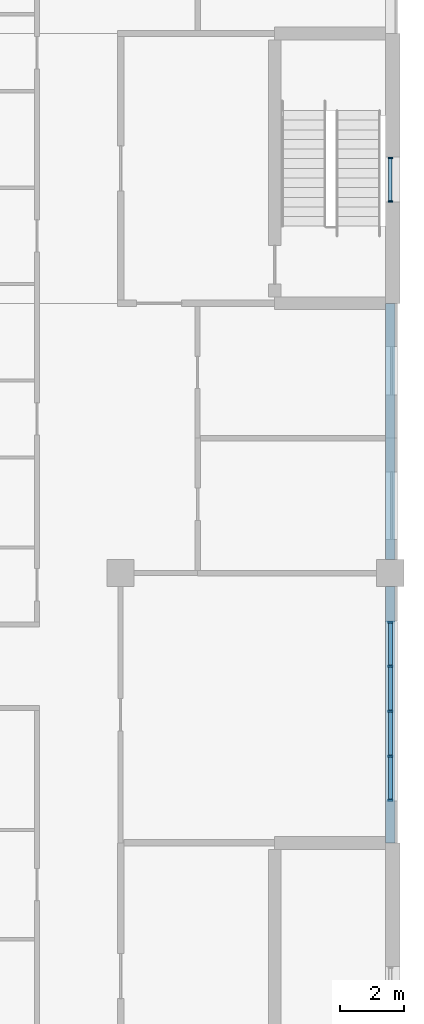
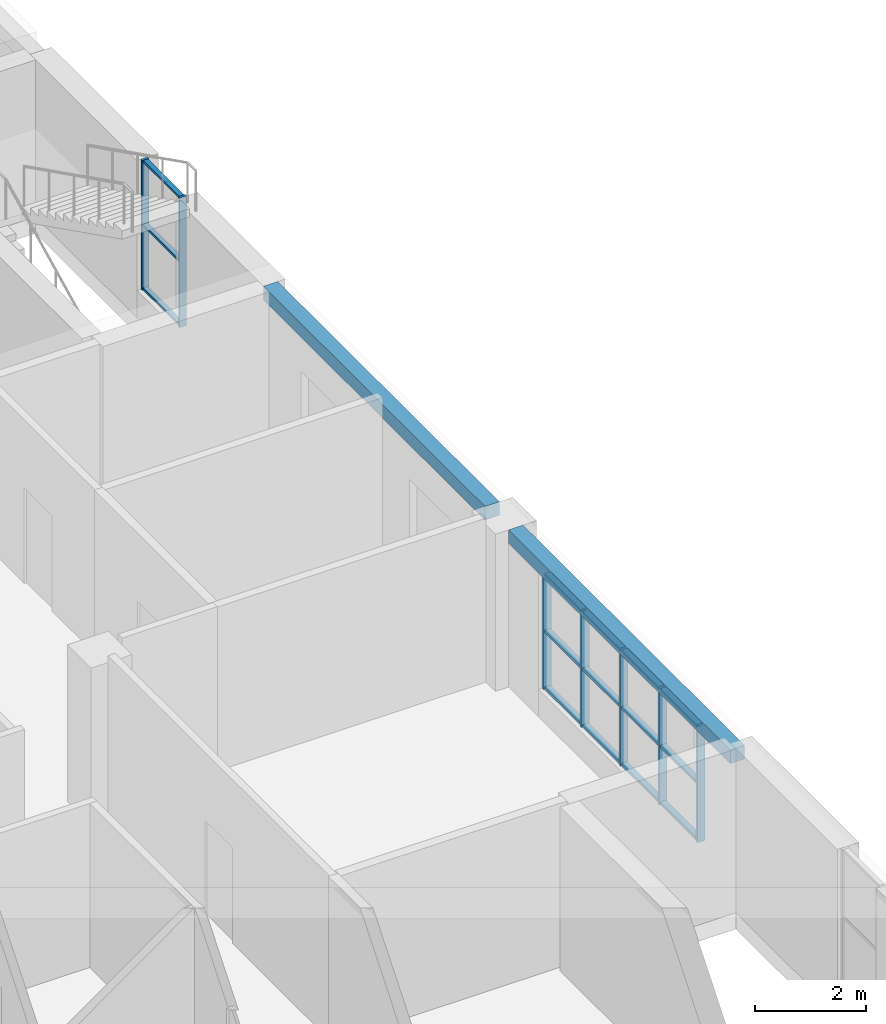
# One storey, part 40 of 94: 22 members, 2 beams, 2 elements without a shape of their own.
"""IFC4 building model written with IfcOpenShell, lengths in metres."""

from ifc_helpers import new_model, si_unit, direction, frame, origin, origin_2d, place, context, subcontext, project, spatial, rectangle, extrude, material, material_profile, profile_set, type_object, element, aggregate, save


model = new_model("IFC4")

# Units and contexts
model_context = context("Model", 3, precision=1e-05, world=origin(), true_north=direction((0.0, 1.0)))
body_context = subcontext(model_context, "Body", "Model", "MODEL_VIEW")
ifc_project = project(units=[si_unit("LENGTHUNIT", "METRE"), si_unit("AREAUNIT", "SQUARE_METRE"), si_unit("VOLUMEUNIT", "CUBIC_METRE"), si_unit("PLANEANGLEUNIT", "RADIAN"), si_unit("MASSUNIT", "GRAM", prefix="KILO")], contexts=[model_context])

# Site, building, storey
site_placement = place(None, origin())
site = spatial("IfcSite", under=ifc_project, at=site_placement, CompositionType="ELEMENT")
building_placement = place(site_placement, origin())
building = spatial("IfcBuilding", under=site, at=building_placement, Name="Yavir Park General Hospital", CompositionType="ELEMENT")
storey_placement = place(building_placement, frame((0.0, 0.0, 4.5)))
storey = spatial("IfcBuildingStorey", under=building, at=storey_placement, Name="L01", CompositionType="ELEMENT", Elevation=4.5)

# Curtain wall, members
ifc_material_1 = material(Name="Aluminium curtain wall frame with insulated glazing", Category="aluminium")
curtain_wall_type_1 = type_object("IfcCurtainWallType", Name="Day room pocket glazing, clinical floors, 2550 high, 1400 module", PredefinedType="NOTDEFINED", material=ifc_material_1)
curtain_wall_1_placement = place(storey_placement, origin())
curtain_wall_1 = element("IfcCurtainWall", 1, at=curtain_wall_1_placement, inside=storey, type_object=curtain_wall_type_1, Name="CW17 L01-031", PredefinedType="NOTDEFINED")
ifc_material_2 = material(Name="Aluminium", Category="aluminium")
ifc_material_profile_1 = material_profile(ifc_material_2, rectangle(XDim=0.159912109375, YDim=0.06005859375, at=origin_2d()), Name="AL 60x160")
ifc_profile_set_1 = profile_set([ifc_material_profile_1], Name="Aluminium")
member_type_1 = type_object("IfcMemberType", Name="Day room pocket glazing, clinical floors, 2550 high mullion 60 x 160", PredefinedType="MULLION", material=ifc_profile_set_1)
member_1_placement = place(storey_placement, frame((168.0, 60.1298828125, 0.60009765625), z_axis=(0.0, 0.0, 1.0), x_axis=(-1.0, 0.0, 0.0)))
member_1 = element("IfcMember", 2, at=member_1_placement, type_object=member_type_1, Name="CW17 mullion 1", PredefinedType="MULLION", context=body_context, shape_type="SweptSolid", body=[
    extrude(rectangle(XDim=0.159912109375, YDim=0.06005859375, at=origin_2d()), origin(), (0.0, 0.0, 1.0), 2.5498046875),
])
member_2_placement = place(storey_placement, frame((168.0, 61.5, 0.60009765625), z_axis=(0.0, 0.0, 1.0), x_axis=(-1.0, 0.0, 0.0)))
member_2 = element("IfcMember", 3, at=member_2_placement, type_object=member_type_1, Name="CW17 mullion 2", PredefinedType="MULLION", context=body_context, shape_type="SweptSolid", body=[
    extrude(rectangle(XDim=0.159912109375, YDim=0.06005859375, at=origin_2d()), origin(), (0.0, 0.0, 1.0), 2.5498046875),
])
member_3_placement = place(storey_placement, frame((168.0, 62.89990234375, 0.60009765625), z_axis=(0.0, 0.0, 1.0), x_axis=(-1.0, 0.0, 0.0)))
member_3 = element("IfcMember", 4, at=member_3_placement, type_object=member_type_1, Name="CW17 mullion 3", PredefinedType="MULLION", context=body_context, shape_type="SweptSolid", body=[
    extrude(rectangle(XDim=0.159912109375, YDim=0.06005859375, at=origin_2d()), origin(), (0.0, 0.0, 1.0), 2.5498046875),
])
member_4_placement = place(storey_placement, frame((168.0, 64.300048828125, 0.60009765625), z_axis=(0.0, 0.0, 1.0), x_axis=(-1.0, 0.0, 0.0)))
member_4 = element("IfcMember", 5, at=member_4_placement, type_object=member_type_1, Name="CW17 mullion 4", PredefinedType="MULLION", context=body_context, shape_type="SweptSolid", body=[
    extrude(rectangle(XDim=0.159912109375, YDim=0.06005859375, at=origin_2d()), origin(), (0.0, 0.0, 1.0), 2.5498046875),
])
member_5_placement = place(storey_placement, frame((168.0, 65.669921875, 0.60009765625), z_axis=(0.0, 0.0, 1.0), x_axis=(-1.0, 0.0, 0.0)))
member_5 = element("IfcMember", 6, at=member_5_placement, type_object=member_type_1, Name="CW17 mullion 5", PredefinedType="MULLION", context=body_context, shape_type="SweptSolid", body=[
    extrude(rectangle(XDim=0.159912109375, YDim=0.06005859375, at=origin_2d()), origin(), (0.0, 0.0, 1.0), 2.5498046875),
])
ifc_material_3 = material(Name="Aluminium", Category="aluminium")
ifc_material_profile_2 = material_profile(ifc_material_3, rectangle(XDim=0.1201171875, YDim=0.06005859375, at=origin_2d()), Name="AL 120x60")
ifc_profile_set_2 = profile_set([ifc_material_profile_2], Name="Aluminium")
member_type_2 = type_object("IfcMemberType", Name="Day room pocket glazing, clinical floors, 2550 high transom 60 x 120", PredefinedType="MULLION", material=ifc_profile_set_2)
member_6_placement = place(storey_placement, frame((168.0, 60.159912109375, 0.6298828125), z_axis=(0.0, 1.0, 0.0), x_axis=(-1.0, 0.0, 0.0)))
member_6 = element("IfcMember", 7, at=member_6_placement, type_object=member_type_2, Name="CW17 transom 1.1", PredefinedType="MULLION", context=body_context, shape_type="SweptSolid", body=[
    extrude(rectangle(XDim=0.1201171875, YDim=0.06005859375, at=origin_2d()), origin(), (0.0, 0.0, 1.0), 1.31005859375),
])
member_7_placement = place(storey_placement, frame((168.0, 60.159912109375, 1.875), z_axis=(0.0, 1.0, 0.0), x_axis=(-1.0, 0.0, 0.0)))
member_7 = element("IfcMember", 8, at=member_7_placement, type_object=member_type_2, Name="CW17 transom 1.2", PredefinedType="MULLION", context=body_context, shape_type="SweptSolid", body=[
    extrude(rectangle(XDim=0.1201171875, YDim=0.06005859375, at=origin_2d()), origin(), (0.0, 0.0, 1.0), 1.31005859375),
])
member_8_placement = place(storey_placement, frame((168.0, 60.159912109375, 3.1201171875), z_axis=(0.0, 1.0, 0.0), x_axis=(-1.0, 0.0, 0.0)))
member_8 = element("IfcMember", 9, at=member_8_placement, type_object=member_type_2, Name="CW17 transom 1.3", PredefinedType="MULLION", context=body_context, shape_type="SweptSolid", body=[
    extrude(rectangle(XDim=0.1201171875, YDim=0.06005859375, at=origin_2d()), origin(), (0.0, 0.0, 1.0), 1.31005859375),
])
member_9_placement = place(storey_placement, frame((168.0, 61.530029296875, 0.6298828125), z_axis=(0.0, 1.0, 0.0), x_axis=(-1.0, 0.0, 0.0)))
member_9 = element("IfcMember", 10, at=member_9_placement, type_object=member_type_2, Name="CW17 transom 2.1", PredefinedType="MULLION", context=body_context, shape_type="SweptSolid", body=[
    extrude(rectangle(XDim=0.1201171875, YDim=0.06005859375, at=origin_2d()), origin(), (0.0, 0.0, 1.0), 1.340087890625),
])
member_10_placement = place(storey_placement, frame((168.0, 61.530029296875, 1.875), z_axis=(0.0, 1.0, 0.0), x_axis=(-1.0, 0.0, 0.0)))
member_10 = element("IfcMember", 11, at=member_10_placement, type_object=member_type_2, Name="CW17 transom 2.2", PredefinedType="MULLION", context=body_context, shape_type="SweptSolid", body=[
    extrude(rectangle(XDim=0.1201171875, YDim=0.06005859375, at=origin_2d()), origin(), (0.0, 0.0, 1.0), 1.340087890625),
])
member_11_placement = place(storey_placement, frame((168.0, 61.530029296875, 3.1201171875), z_axis=(0.0, 1.0, 0.0), x_axis=(-1.0, 0.0, 0.0)))
member_11 = element("IfcMember", 12, at=member_11_placement, type_object=member_type_2, Name="CW17 transom 2.3", PredefinedType="MULLION", context=body_context, shape_type="SweptSolid", body=[
    extrude(rectangle(XDim=0.1201171875, YDim=0.06005859375, at=origin_2d()), origin(), (0.0, 0.0, 1.0), 1.340087890625),
])
member_12_placement = place(storey_placement, frame((168.0, 62.929931640625, 0.6298828125), z_axis=(0.0, 1.0, 0.0), x_axis=(-1.0, 0.0, 0.0)))
member_12 = element("IfcMember", 13, at=member_12_placement, type_object=member_type_2, Name="CW17 transom 3.1", PredefinedType="MULLION", context=body_context, shape_type="SweptSolid", body=[
    extrude(rectangle(XDim=0.1201171875, YDim=0.06005859375, at=origin_2d()), origin(), (0.0, 0.0, 1.0), 1.340087890625),
])
member_13_placement = place(storey_placement, frame((168.0, 62.929931640625, 1.875), z_axis=(0.0, 1.0, 0.0), x_axis=(-1.0, 0.0, 0.0)))
member_13 = element("IfcMember", 14, at=member_13_placement, type_object=member_type_2, Name="CW17 transom 3.2", PredefinedType="MULLION", context=body_context, shape_type="SweptSolid", body=[
    extrude(rectangle(XDim=0.1201171875, YDim=0.06005859375, at=origin_2d()), origin(), (0.0, 0.0, 1.0), 1.340087890625),
])
member_14_placement = place(storey_placement, frame((168.0, 62.929931640625, 3.1201171875), z_axis=(0.0, 1.0, 0.0), x_axis=(-1.0, 0.0, 0.0)))
member_14 = element("IfcMember", 15, at=member_14_placement, type_object=member_type_2, Name="CW17 transom 3.3", PredefinedType="MULLION", context=body_context, shape_type="SweptSolid", body=[
    extrude(rectangle(XDim=0.1201171875, YDim=0.06005859375, at=origin_2d()), origin(), (0.0, 0.0, 1.0), 1.340087890625),
])
member_15_placement = place(storey_placement, frame((168.0, 64.330078125, 0.6298828125), z_axis=(0.0, 1.0, 0.0), x_axis=(-1.0, 0.0, 0.0)))
member_15 = element("IfcMember", 16, at=member_15_placement, type_object=member_type_2, Name="CW17 transom 4.1", PredefinedType="MULLION", context=body_context, shape_type="SweptSolid", body=[
    extrude(rectangle(XDim=0.1201171875, YDim=0.06005859375, at=origin_2d()), origin(), (0.0, 0.0, 1.0), 1.309814453125),
])
member_16_placement = place(storey_placement, frame((168.0, 64.330078125, 1.875), z_axis=(0.0, 1.0, 0.0), x_axis=(-1.0, 0.0, 0.0)))
member_16 = element("IfcMember", 17, at=member_16_placement, type_object=member_type_2, Name="CW17 transom 4.2", PredefinedType="MULLION", context=body_context, shape_type="SweptSolid", body=[
    extrude(rectangle(XDim=0.1201171875, YDim=0.06005859375, at=origin_2d()), origin(), (0.0, 0.0, 1.0), 1.309814453125),
])
member_17_placement = place(storey_placement, frame((168.0, 64.330078125, 3.1201171875), z_axis=(0.0, 1.0, 0.0), x_axis=(-1.0, 0.0, 0.0)))
member_17 = element("IfcMember", 18, at=member_17_placement, type_object=member_type_2, Name="CW17 transom 4.3", PredefinedType="MULLION", context=body_context, shape_type="SweptSolid", body=[
    extrude(rectangle(XDim=0.1201171875, YDim=0.06005859375, at=origin_2d()), origin(), (0.0, 0.0, 1.0), 1.309814453125),
])
aggregate(curtain_wall_1, [member_1, member_2, member_3, member_4, member_5, member_6, member_7, member_8, member_9, member_10, member_11, member_12, member_13, member_14, member_15, member_16, member_17])

# Beams
ifc_material_4 = material(Name="Concrete C35/45", Category="concrete")
ifc_material_profile_3 = material_profile(ifc_material_4, rectangle(XDim=0.300048828125, YDim=0.300048828125, at=origin_2d()), Name="RC300x300")
ifc_profile_set_3 = profile_set([ifc_material_profile_3], Name="Concrete C35/45")
beam_type = type_object("IfcBeamType", Name="RC BEAM 300x300 edge beam", PredefinedType="BEAM", material=ifc_profile_set_3)
beam_1_placement = place(storey_placement, frame((168.0, 58.800048828125, 3.300048828125), z_axis=(0.0, 1.0, 0.0), x_axis=(-1.0, 0.0, 0.0)))
element("IfcBeam", 19, at=beam_1_placement, inside=storey, type_object=beam_type, Name="B:EDGE:L01:060", PredefinedType="BEAM", context=body_context, shape_type="SweptSolid", body=[
    extrude(rectangle(XDim=0.300048828125, YDim=0.300048828125, at=origin_2d()), origin(), (0.0, 0.0, 1.0), 7.974853515625),
])
beam_2_placement = place(storey_placement, frame((168.0, 67.625, 3.300048828125), z_axis=(0.0, 1.0, 0.0), x_axis=(-1.0, 0.0, 0.0)))
element("IfcBeam", 20, at=beam_2_placement, inside=storey, type_object=beam_type, Name="B:EDGE:L01:061", PredefinedType="BEAM", context=body_context, shape_type="SweptSolid", body=[
    extrude(rectangle(XDim=0.300048828125, YDim=0.300048828125, at=origin_2d()), origin(), (0.0, 0.0, 1.0), 7.97509765625),
])

# Curtain wall, members
ifc_material_5 = material(Name="Aluminium curtain wall frame with insulated glazing", Category="aluminium")
curtain_wall_type_2 = type_object("IfcCurtainWallType", Name="Stair light slot, podium, 2850 high, 1400 module", PredefinedType="NOTDEFINED", material=ifc_material_5)
curtain_wall_2_placement = place(storey_placement, origin())
curtain_wall_2 = element("IfcCurtainWall", 21, at=curtain_wall_2_placement, inside=storey, type_object=curtain_wall_type_2, Name="CW9 L01-032", PredefinedType="NOTDEFINED")
ifc_material_6 = material(Name="Aluminium", Category="aluminium")
ifc_material_profile_4 = material_profile(ifc_material_6, rectangle(XDim=0.139892578125, YDim=0.050048828125, at=origin_2d()), Name="AL 50x140")
ifc_profile_set_4 = profile_set([ifc_material_profile_4], Name="Aluminium")
member_type_3 = type_object("IfcMemberType", Name="Stair light slot, podium, 2850 high mullion 50 x 140", PredefinedType="MULLION", material=ifc_profile_set_4)
member_18_placement = place(storey_placement, frame((168.0, 78.77490234375, 0.60009765625), z_axis=(0.0, 0.0, 1.0), x_axis=(-1.0, 0.0, 0.0)))
member_18 = element("IfcMember", 22, at=member_18_placement, type_object=member_type_3, Name="CW9 mullion 1", PredefinedType="MULLION", context=body_context, shape_type="SweptSolid", body=[
    extrude(rectangle(XDim=0.139892578125, YDim=0.050048828125, at=origin_2d()), origin(), (0.0, 0.0, 1.0), 2.849853515625),
])
member_19_placement = place(storey_placement, frame((168.0, 80.125, 0.60009765625), z_axis=(0.0, 0.0, 1.0), x_axis=(-1.0, 0.0, 0.0)))
member_19 = element("IfcMember", 23, at=member_19_placement, type_object=member_type_3, Name="CW9 mullion 2", PredefinedType="MULLION", context=body_context, shape_type="SweptSolid", body=[
    extrude(rectangle(XDim=0.139892578125, YDim=0.050048828125, at=origin_2d()), origin(), (0.0, 0.0, 1.0), 2.849853515625),
])
ifc_material_7 = material(Name="Aluminium", Category="aluminium")
ifc_material_profile_5 = material_profile(ifc_material_7, rectangle(XDim=0.10009765625, YDim=0.050048828125, at=origin_2d()), Name="AL 100x50")
ifc_profile_set_5 = profile_set([ifc_material_profile_5], Name="Aluminium")
member_type_4 = type_object("IfcMemberType", Name="Stair light slot, podium, 2850 high transom 50 x 100", PredefinedType="MULLION", material=ifc_profile_set_5)
member_20_placement = place(storey_placement, frame((168.0, 78.800048828125, 0.625), z_axis=(0.0, 1.0, 0.0), x_axis=(-1.0, 0.0, 0.0)))
member_20 = element("IfcMember", 24, at=member_20_placement, type_object=member_type_4, Name="CW9 transom 1.1", PredefinedType="MULLION", context=body_context, shape_type="SweptSolid", body=[
    extrude(rectangle(XDim=0.10009765625, YDim=0.050048828125, at=origin_2d()), origin(), (0.0, 0.0, 1.0), 1.300048828125),
])
member_21_placement = place(storey_placement, frame((168.0, 78.800048828125, 2.02490234375), z_axis=(0.0, 1.0, 0.0), x_axis=(-1.0, 0.0, 0.0)))
member_21 = element("IfcMember", 25, at=member_21_placement, type_object=member_type_4, Name="CW9 transom 1.2", PredefinedType="MULLION", context=body_context, shape_type="SweptSolid", body=[
    extrude(rectangle(XDim=0.10009765625, YDim=0.050048828125, at=origin_2d()), origin(), (0.0, 0.0, 1.0), 1.300048828125),
])
member_22_placement = place(storey_placement, frame((168.0, 78.800048828125, 3.425048828125), z_axis=(0.0, 1.0, 0.0), x_axis=(-1.0, 0.0, 0.0)))
member_22 = element("IfcMember", 26, at=member_22_placement, type_object=member_type_4, Name="CW9 transom 1.3", PredefinedType="MULLION", context=body_context, shape_type="SweptSolid", body=[
    extrude(rectangle(XDim=0.10009765625, YDim=0.050048828125, at=origin_2d()), origin(), (0.0, 0.0, 1.0), 1.300048828125),
])
aggregate(curtain_wall_2, [member_18, member_19, member_20, member_21, member_22])

save(model, "model.ifc")
